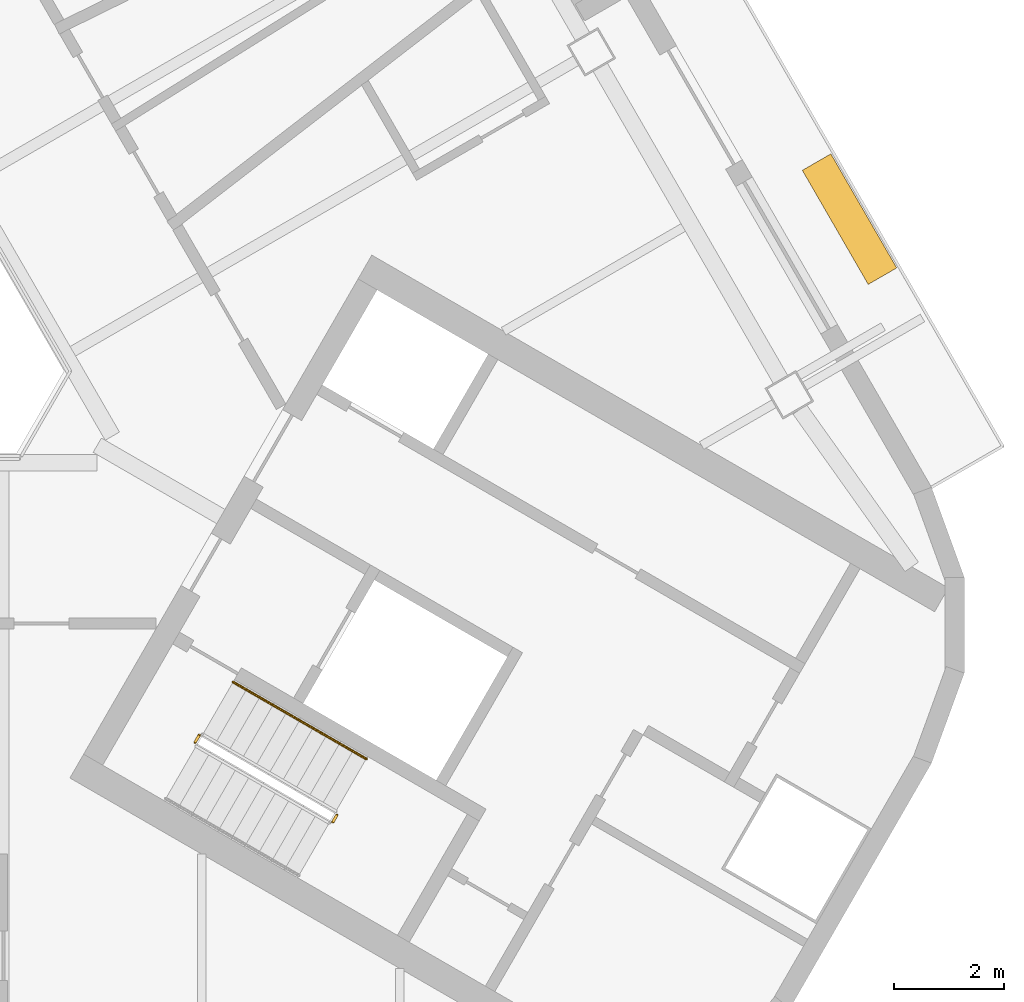
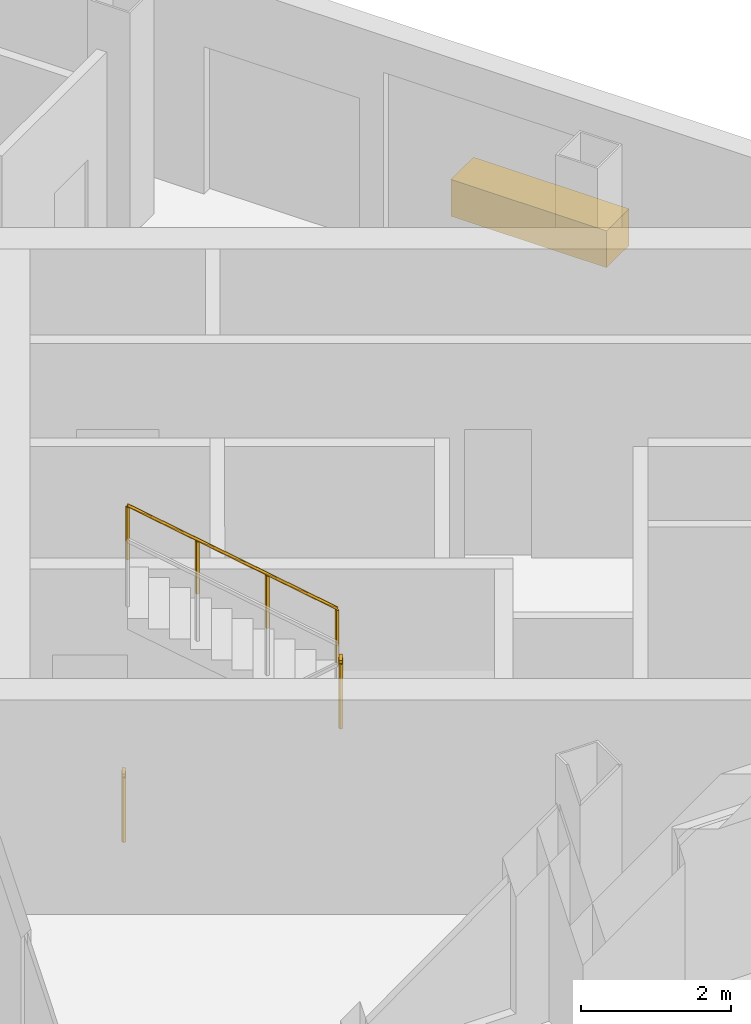
# One storey, part 11 of 13: 3 railings, 1 covering.
"""IFC4 building model written with IfcOpenShell, lengths in metres."""

from ifc_helpers import new_model, si_unit, direction, frame, origin, origin_2d, place, context, subcontext, project, spatial, rectangle, circle, extrude, material, type_object, element, save


model = new_model("IFC4")

# Units and contexts
model_context = context("Model", 3, precision=1e-05, world=origin(), true_north=direction((0.0, 1.0)))
body_context = subcontext(model_context, "Body", "Model", "MODEL_VIEW")
ifc_project = project(units=[si_unit("LENGTHUNIT", "METRE"), si_unit("AREAUNIT", "SQUARE_METRE"), si_unit("VOLUMEUNIT", "CUBIC_METRE"), si_unit("PLANEANGLEUNIT", "RADIAN"), si_unit("MASSUNIT", "GRAM", prefix="KILO")], contexts=[model_context])

# Site, building, storey
site_placement = place(None, origin())
site = spatial("IfcSite", under=ifc_project, at=site_placement, CompositionType="ELEMENT")
building_placement = place(site_placement, origin())
building = spatial("IfcBuilding", under=site, at=building_placement, Name="Apuvela Tower Hotel", CompositionType="ELEMENT")
storey_placement = place(building_placement, frame((0.0, 0.0, 283.699951171875)))
storey = spatial("IfcBuildingStorey", under=building, at=storey_placement, Name="L70", CompositionType="ELEMENT", Elevation=283.699951171875)

# Railings
ifc_material_1 = material(Name="Steel S275 balustrade", Category="steel")
railing_type_1 = type_object("IfcRailingType", Name="COR-GUARD-1100", PredefinedType="GUARDRAIL", material=ifc_material_1)
for number, where, name in (
    (1, (13.212158203125, -12.015869140625, 1.85009765625), "L70 ST3 stair guard 2"),
    (2, (10.70068359375, -10.56591796875, 0.0), "L70 ST3 stair guard 4"),
):
    element("IfcRailing", number, at=place(storey_placement, frame(where)), inside=storey, type_object=railing_type_1, Name=name, PredefinedType="GUARDRAIL", context=body_context, shape_type="SweptSolid", body=[
        extrude(rectangle(XDim=0.048095703125, YDim=0.048095703125, at=origin_2d()), frame((0.0, 0.0, 1.076171875), z_axis=(0.499816412211, 0.866131372301, 0.0), x_axis=(-0.866131372301, 0.499816412211, 0.0)), (0.0, 0.0, 1.0), 0.14990234375),
        extrude(rectangle(XDim=0.0419921875, YDim=0.0419921875, at=origin_2d()), origin(), (0.0, 0.0, 1.0), 1.052001953125),
        extrude(rectangle(XDim=0.0419921875, YDim=0.0419921875, at=origin_2d()), frame((0.074951171875, 0.1298828125, 0.0)), (0.0, 0.0, 1.0), 1.052001953125),
    ])
ifc_material_2 = material(Name="Stainless steel 316 handrail", Category="steel")
railing_type_2 = type_object("IfcRailingType", Name="COR-HANDRAIL-900", PredefinedType="HANDRAIL", material=ifc_material_2)
railing_placement = place(storey_placement, frame((13.81884765625, -10.864990234375, 2.018310546875)))
element("IfcRailing", 3, at=railing_placement, inside=storey, type_object=railing_type_2, Name="L70 ST3 stair handrail 2", PredefinedType="HANDRAIL", context=body_context, shape_type="SweptSolid", body=[
    extrude(circle(Radius=0.02392578125, at=origin_2d()), frame((0.0, 0.0, 0.8759765625), z_axis=(-0.74241905619, 0.428617687091, 0.514879426), x_axis=(-0.49998411664, -0.866034573852, 0.0)), (0.0, 0.0, 1.0), 3.26611328125),
    extrude(rectangle(XDim=0.0419921875, YDim=0.0419921875, at=origin_2d()), origin(), (0.0, 0.0, 1.0), 0.851806640625),
    extrude(rectangle(XDim=0.0419921875, YDim=0.0419921875, at=origin_2d()), frame((-0.808349609375, 0.466552734375, 0.560546875)), (0.0, 0.0, 1.0), 0.851806640625),
    extrude(rectangle(XDim=0.0419921875, YDim=0.0419921875, at=origin_2d()), frame((-1.616455078125, 0.933349609375, 1.12109375)), (0.0, 0.0, 1.0), 0.851806640625),
    extrude(rectangle(XDim=0.0419921875, YDim=0.0419921875, at=origin_2d()), frame((-2.4248046875, 1.39990234375, 1.681640625)), (0.0, 0.0, 1.0), 0.851806640625),
])

# Covering
ifc_material_3 = material(Name="Planting substrate and soil, planted")
covering_type = type_object("IfcCoveringType", Name="ENV-PLANTER-2400x600", PredefinedType="USERDEFINED", material=ifc_material_3)
covering_placement = place(storey_placement, frame((22.62548828125, -1.03125, 0.0), z_axis=(0.0, 0.0, 1.0), x_axis=(-0.5, 0.866025403784, 0.0)))
element("IfcCovering", 4, at=covering_placement, inside=storey, type_object=covering_type, Name="Planter NE3", ObjectType="PLANTER", PredefinedType="USERDEFINED", context=body_context, shape_type="SweptSolid", body=[
    extrude(rectangle(XDim=2.39990234375, YDim=0.60009765625, at=origin_2d()), origin(), (0.0, 0.0, 1.0), 0.60009765625),
])

save(model, "model.ifc")
